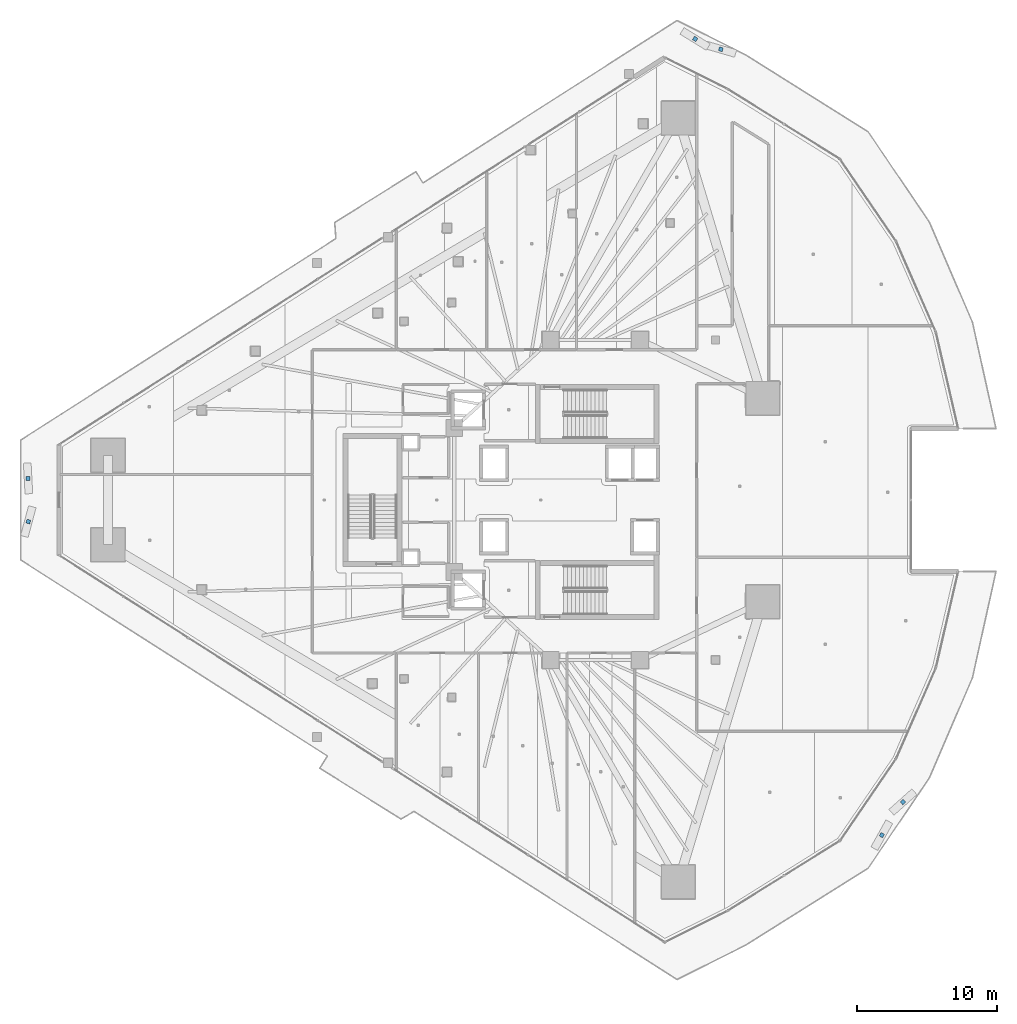
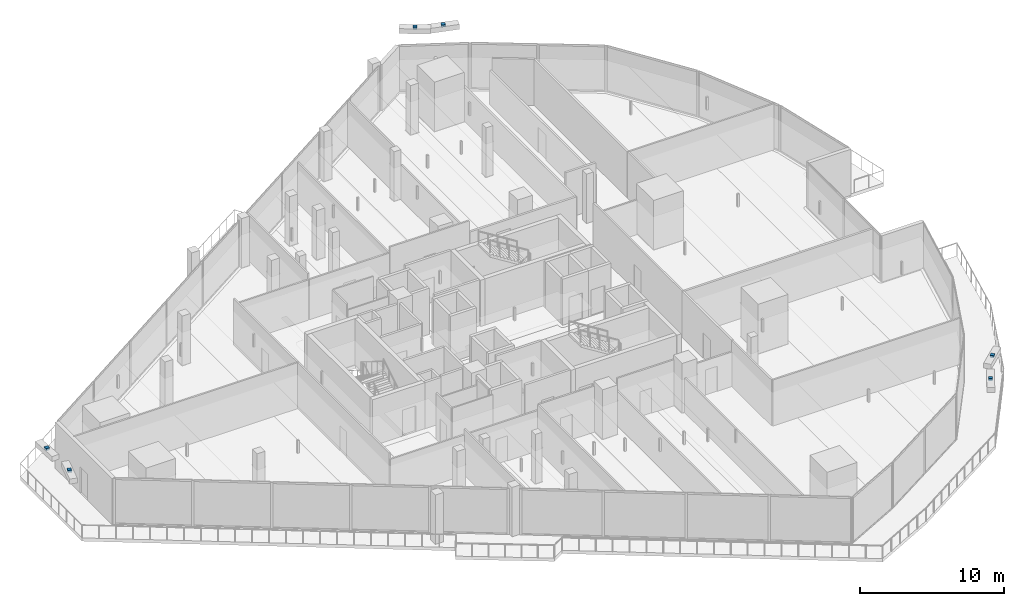
# One storey, part 36 of 45: 6 discrete accessories.
"""IFC4 building model written with IfcOpenShell, lengths in metres."""

from ifc_helpers import new_model, si_unit, direction, frame, origin, origin_2d, place, context, subcontext, project, spatial, rectangle, extrude, material, type_object, element, save


model = new_model("IFC4")

# Units and contexts
model_context = context("Model", 3, precision=1e-05, world=origin(), true_north=direction((0.0, 1.0)))
body_context = subcontext(model_context, "Body", "Model", "MODEL_VIEW")
ifc_project = project(units=[si_unit("LENGTHUNIT", "METRE"), si_unit("AREAUNIT", "SQUARE_METRE"), si_unit("VOLUMEUNIT", "CUBIC_METRE"), si_unit("PLANEANGLEUNIT", "RADIAN"), si_unit("MASSUNIT", "GRAM", prefix="KILO")], contexts=[model_context])

# Site, building, storey
site_placement = place(None, origin())
site = spatial("IfcSite", under=ifc_project, at=site_placement, CompositionType="ELEMENT")
building_placement = place(site_placement, origin())
building = spatial("IfcBuilding", under=site, at=building_placement, Name="Qorvath Tower", CompositionType="ELEMENT")
storey_placement = place(building_placement, frame((0.0, 0.0, 91.199951171875)))
storey = spatial("IfcBuildingStorey", under=building, at=storey_placement, Name="L20", CompositionType="ELEMENT", Elevation=91.199951171875)

# Discrete accessories
ifc_material = material(Name="Galvanised steel bracket", Category="steel")
discrete_accessory_type = type_object("IfcDiscreteAccessoryType", Name="DA-BRACKET", PredefinedType="BRACKET", material=ifc_material)
for number, where, z_axis, x_axis, name in (
    (1, (-61.004150390625, 1.544921875, 3.7802734375), (0.0, 0.0, 1.0), (0.053162090538, -0.99858589622, 0.0), "Louvre Wave Support Bracket L20-01"),
    (2, (-60.983642578125, -1.544921875, 3.7802734375), (0.0, 0.0, 1.0), (-0.258596504901, -0.965985428282, 0.0), "Louvre Wave Support Bracket L20-02"),
    (3, (0.09716796875, -23.986328125, 3.7802734375), (0.0, 0.0, 1.0), (0.485633714459, 0.874162396458, 0.0), "Louvre Wave Support Bracket L20-03"),
    (4, (1.609619140625, -21.61669921875, 3.7802734375), (0.0, 0.0, 1.0), (0.746202630149, 0.665718885685, 0.0), "Louvre Wave Support Bracket L20-04"),
    (5, (-11.4248046875, 32.25634765625, 3.7802734375), (0.0, 0.0, 1.0), (-0.960192828221, 0.279338025757, 0.0), "Louvre Wave Support Bracket L20-05"),
    (6, (-13.262451171875, 32.994873046875, 3.7802734375), (0.0, 0.0, 1.0), (-0.851194239569, 0.524850804063, 0.0), "Louvre Wave Support Bracket L20-06"),
):
    element("IfcDiscreteAccessory", number, at=place(storey_placement, frame(where, z_axis=z_axis, x_axis=x_axis)), inside=storey, type_object=discrete_accessory_type, Name=name, PredefinedType="NOTDEFINED", context=body_context, shape_type="SweptSolid", body=[
        extrude(rectangle(XDim=0.280029296875, YDim=0.280029296875, at=origin_2d()), origin(), (0.0, 0.0, 1.0), 0.199951171875),
    ])

save(model, "model.ifc")
